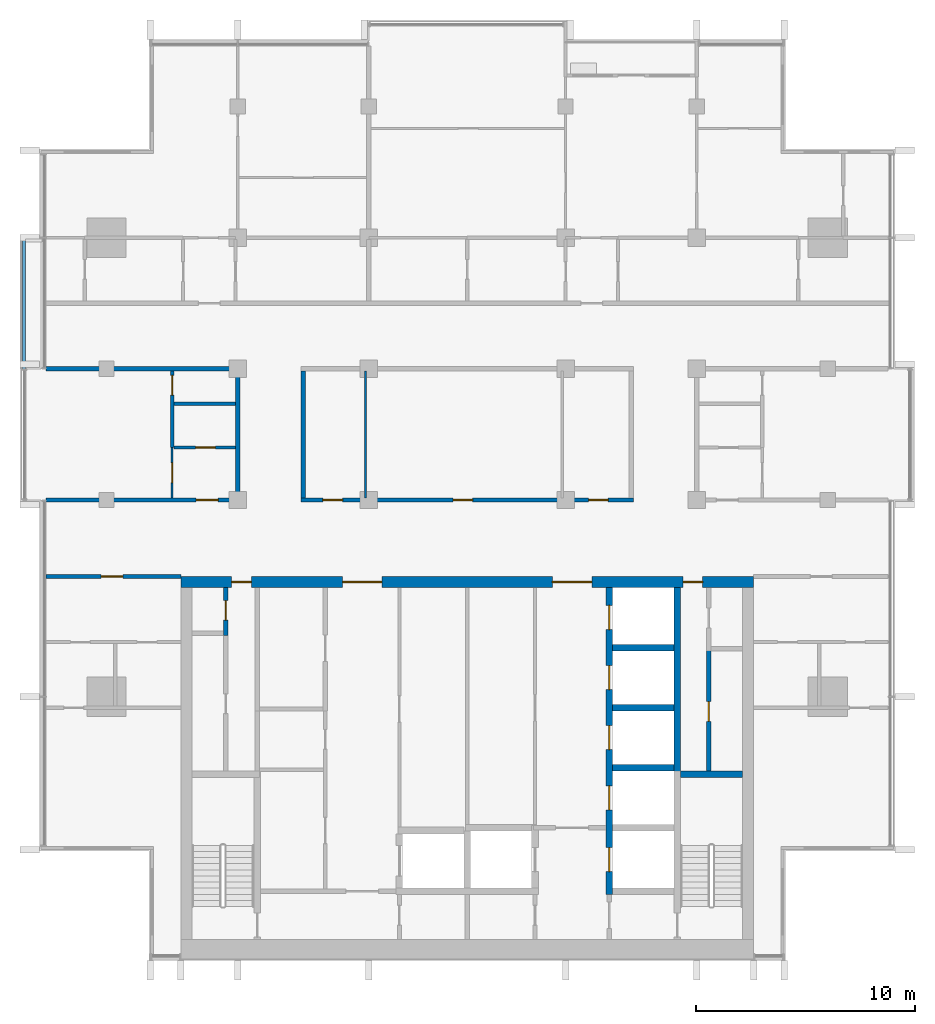
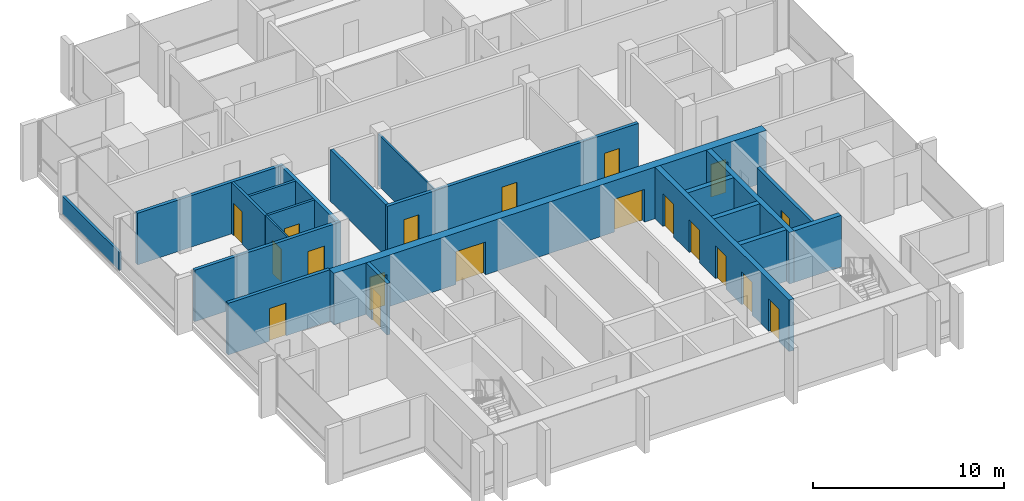
# One storey, part 8 of 16: 21 walls, 19 doors, 19 openings.
"""IFC4 building model written with IfcOpenShell, lengths in metres."""

import ifcopenshell
import ifcopenshell.guid

model = None  # the IFC model being written
_history = None  # IfcOwnerHistory: only IFC2X3 demands one
_inside = {}  # id of a spatial element -> (the spatial element, [elements in it])
_under = {}  # id of a project, library or spatial element -> (it, [spatial elements below it])
_declared = {}  # id of a project -> (the project, [libraries it declares])
_typed = {}  # id of a type object -> (the type object, [elements of that type])
_made_of = {}  # id of a material, layer set ... -> (it, [elements and type objects made of it])


def new_model(schema):
    """Start an empty IFC model of exactly this schema.

    Asked for "IFC4X3", IfcOpenShell would pick the latest addendum, in which some entities
    have other attributes; the version numbers below select the first issue.
    IFC2X3 requires an IfcOwnerHistory on every rooted entity: one is made here for all.
    """
    global model, _history
    if schema == "IFC4X3":
        model = ifcopenshell.file(schema_version=(4, 3, 0, 0))
    else:
        model = ifcopenshell.file(schema=schema)
    _inside.clear()
    _under.clear()
    _declared.clear()
    _typed.clear()
    _made_of.clear()
    _history = None
    if model.schema == "IFC2X3":
        org = make("IfcOrganization", Name="unknown")
        user = make(
            "IfcPersonAndOrganization",
            ThePerson=make("IfcPerson", FamilyName="unknown"),
            TheOrganization=org,
        )
        app = make(
            "IfcApplication",
            ApplicationDeveloper=org,
            Version="unknown",
            ApplicationFullName="unknown",
            ApplicationIdentifier="unknown",
        )
        _history = make(
            "IfcOwnerHistory",
            OwningUser=user,
            OwningApplication=app,
            ChangeAction="ADDED",
            CreationDate=0,
        )
    return model


def make(cls, **values):
    """One entity of the class cls with the attributes given. An attribute that is None is left unset."""
    return model.create_entity(
        cls, **{name: value for name, value in values.items() if value is not None}
    )


def rooted(cls, **values):
    """An entity with a GlobalId (a new one), such as an element, a storey or a relation."""
    return make(cls, GlobalId=ifcopenshell.guid.new(), OwnerHistory=_history, **values)


def si_unit(unit_type, name, prefix=None):
    """IfcSIUnit, for example si_unit("LENGTHUNIT", "METRE", prefix="MILLI")."""
    return make("IfcSIUnit", UnitType=unit_type, Prefix=prefix, Name=name)


def assignment(units):
    """IfcUnitAssignment: the units of a project."""
    return None if units is None else make("IfcUnitAssignment", Units=units)


def point(xyz):
    """IfcCartesianPoint."""
    return None if xyz is None else make("IfcCartesianPoint", Coordinates=xyz)


def direction(xyz):
    """IfcDirection."""
    return None if xyz is None else make("IfcDirection", DirectionRatios=xyz)


def frame(location, z_axis=None, x_axis=None):
    """IfcAxis2Placement3D, a coordinate frame: its origin and axes. An axis left out is left unset."""
    return make(
        "IfcAxis2Placement3D",
        Location=point(location),
        Axis=direction(z_axis),
        RefDirection=direction(x_axis),
    )


def frame_2d(location, x_axis=None):
    """IfcAxis2Placement2D, a coordinate frame in the plane: its origin and x axis."""
    return make(
        "IfcAxis2Placement2D", Location=point(location), RefDirection=direction(x_axis)
    )


def origin():
    """The frame at (0, 0, 0) with its axes left unset."""
    return frame((0.0, 0.0, 0.0))


def place(relative_to, where):
    """IfcLocalPlacement: puts the frame where relative to a parent placement (None: the world)."""
    return make(
        "IfcLocalPlacement", PlacementRelTo=relative_to, RelativePlacement=where
    )


def context(
    kind, dimensions, precision=None, world=None, true_north=None, identifier=None
):
    """IfcGeometricRepresentationContext, for example the 3D "Model" context."""
    return make(
        "IfcGeometricRepresentationContext",
        ContextIdentifier=identifier,
        ContextType=kind,
        CoordinateSpaceDimension=dimensions,
        Precision=precision,
        WorldCoordinateSystem=world,
        TrueNorth=true_north,
    )


def subcontext(parent, identifier, kind, view, scale=None):
    """IfcGeometricRepresentationSubContext, for example "Body" below "Model"."""
    return make(
        "IfcGeometricRepresentationSubContext",
        ContextIdentifier=identifier,
        ContextType=kind,
        ParentContext=parent,
        TargetScale=scale,
        TargetView=view,
    )


def project(units=None, contexts=None):
    """IfcProject with its units and contexts."""
    return rooted(
        "IfcProject",
        Name="project",
        RepresentationContexts=contexts,
        UnitsInContext=assignment(units),
    )


def spatial(cls, under=None, at=None, **own):
    """A site, building, storey or space (cls), placed at a placement, below another one or the project."""
    s = rooted(cls, ObjectPlacement=at, **own)
    if under is not None:
        _under.setdefault(under.id(), (under, []))[1].append(s)
    return s


def profile(cls, at=None, kind="AREA", **sizes):
    """A parametric profile (cls). Its sizes go by their IFC names, for example OverallWidth=200.0."""
    return make(cls, ProfileType=kind, Position=at, **sizes)


def rectangle(**sizes):
    """IfcRectangleProfileDef."""
    return profile("IfcRectangleProfileDef", **sizes)


def extrude(swept, where, along, depth):
    """IfcExtrudedAreaSolid: the profile swept, set in the frame where, extruded along a direction by depth."""
    return make(
        "IfcExtrudedAreaSolid",
        SweptArea=swept,
        Position=where,
        ExtrudedDirection=direction(along),
        Depth=depth,
    )


def shape(context_of_items, identifier, shape_type, items):
    """IfcShapeRepresentation: the items that make up one representation, for example the "Body"."""
    return make(
        "IfcShapeRepresentation",
        ContextOfItems=context_of_items,
        RepresentationIdentifier=identifier,
        RepresentationType=shape_type,
        Items=items,
    )


def material(Name=None, Category=None):
    """IfcMaterial."""
    return make("IfcMaterial", Name=Name, Category=Category)


def layer(
    of_material, thickness, ventilated=None, Name=None, Category=None, Priority=None
):
    """IfcMaterialLayer: one layer of a wall or slab, of a material (None: an air gap)."""
    return make(
        "IfcMaterialLayer",
        Material=of_material,
        LayerThickness=thickness,
        IsVentilated=ventilated,
        Name=Name,
        Category=Category,
        Priority=Priority,
    )


def layer_set(layers, Name=None):
    """IfcMaterialLayerSet."""
    return make("IfcMaterialLayerSet", MaterialLayers=layers, LayerSetName=Name)


def made_of(thing, what):
    """Note that an element or type object is made of a material, layer set ...; save() writes the relation."""
    if what is not None:
        _made_of.setdefault(what.id(), (what, []))[1].append(thing)
    return thing


def type_object(cls, material=None, **own):
    """A type object (cls), such as IfcWallType, which elements share."""
    return made_of(rooted(cls, **own), material)


def element(
    cls,
    number,
    at=None,
    inside=None,
    cuts=None,
    type_object=None,
    material=None,
    context=None,
    identifier="Body",
    shape_type=None,
    held_by="IfcProductDefinitionShape",
    body=None,
    shapes=None,
    **own,
):
    """One element of the class cls, such as IfcWall. Its Tag is "e" and its number.

    at: its placement. inside: the storey or other place that contains it. cuts: it is an
    opening in that element (IfcRelVoidsElement). A single representation is given by context,
    identifier, shape_type and body (its items); several are given by shapes. held_by: the class
    of the entity that holds the representations. save() writes the other relations.
    """
    e = rooted(cls, Tag="e%d" % number, ObjectPlacement=at, **own)
    if body is not None:
        shapes = [shape(context, identifier, shape_type, body)]
    if shapes is not None:
        e.Representation = make(held_by, Representations=shapes)
    if inside is not None:
        _inside.setdefault(inside.id(), (inside, []))[1].append(e)
    if cuts is not None:
        rooted(
            "IfcRelVoidsElement", RelatingBuildingElement=cuts, RelatedOpeningElement=e
        )
    if type_object is not None:
        _typed.setdefault(type_object.id(), (type_object, []))[1].append(e)
    return made_of(e, material)


def fill(opening, filler):
    """IfcRelFillsElement: the door or window that sits in an opening."""
    return rooted(
        "IfcRelFillsElement",
        RelatingOpeningElement=opening,
        RelatedBuildingElement=filler,
    )


def aggregate(whole, parts):
    """IfcRelAggregates: a whole, such as a stair, and the parts it consists of."""
    return rooted("IfcRelAggregates", RelatingObject=whole, RelatedObjects=parts)


def save(model, path):
    """Write the relations noted so far, then the file.

    IfcRelAggregates (storeys below a building ...), IfcRelContainedInSpatialStructure (elements
    in a storey), IfcRelDefinesByType, IfcRelAssociatesMaterial and IfcRelDeclares: one each for
    every whole, place, type object, material and project.
    """
    for whole, parts in _under.values():
        aggregate(whole, parts)
    for where, things in _inside.values():
        rooted(
            "IfcRelContainedInSpatialStructure",
            RelatedElements=things,
            RelatingStructure=where,
        )
    for kind, things in _typed.values():
        rooted("IfcRelDefinesByType", RelatedObjects=things, RelatingType=kind)
    for what, things in _made_of.values():
        rooted("IfcRelAssociatesMaterial", RelatedObjects=things, RelatingMaterial=what)
    for by, libraries in _declared.values():
        rooted("IfcRelDeclares", RelatingContext=by, RelatedDefinitions=libraries)
    model.write(path)


model = new_model("IFC4")

# Units and contexts
model_context = context("Model", 3, precision=1e-05, world=origin(), true_north=direction((0.0, 1.0)))
body_context = subcontext(model_context, "Body", "Model", "MODEL_VIEW")
ifc_project = project(units=[si_unit("LENGTHUNIT", "METRE"), si_unit("AREAUNIT", "SQUARE_METRE"), si_unit("VOLUMEUNIT", "CUBIC_METRE"), si_unit("PLANEANGLEUNIT", "RADIAN"), si_unit("MASSUNIT", "GRAM", prefix="KILO")], contexts=[model_context])

# Site, building, storey
site_placement = place(None, origin())
site = spatial("IfcSite", under=ifc_project, at=site_placement, CompositionType="ELEMENT")
building_placement = place(site_placement, origin())
building = spatial("IfcBuilding", under=site, at=building_placement, Name="Finial Court Residences", CompositionType="ELEMENT")
storey_placement = place(building_placement, frame((0.0, 0.0, 284.300048828125)))
storey = spatial("IfcBuildingStorey", under=building, at=storey_placement, Name="L72", CompositionType="ELEMENT", Elevation=284.300048828125)

# Wall, openings, doors
ifc_material_1 = material(Name="Concrete C50/60", Category="concrete")
ifc_layer_1 = layer(ifc_material_1, 0.5)
ifc_layer_set_1 = layer_set([ifc_layer_1], Name="Core outer wall 500 Concrete C50/60")
wall_type_1 = type_object("IfcWallType", Name="Core outer wall 500 Concrete C50/60", PredefinedType="SHEAR", material=ifc_layer_set_1)
wall_1_placement = place(storey_placement, frame((-13.10009765625, -8.25, 0.0), z_axis=(0.0, 0.0, 1.0), x_axis=(1.0, 0.0, 0.0)))
wall_1 = element("IfcWall", 1, at=wall_1_placement, inside=storey, type_object=wall_type_1, Name="Core outer wall L72-02", PredefinedType="SHEAR", context=body_context, shape_type="SweptSolid", body=[
    extrude(rectangle(XDim=26.2001953125, YDim=0.5, at=frame_2d((13.10009765625, 0.0))), origin(), (0.0, 0.0, 1.0), 3.300048828125),
])
opening_1_placement = place(wall_1_placement, frame((7.39990234375, 0.0, 0.0)))
opening_1 = element("IfcOpeningElement", 2, at=opening_1_placement, cuts=wall_1, Name="Opening L72-C04", PredefinedType="OPENING", context=body_context, shape_type="SweptSolid", body=[
    extrude(rectangle(XDim=1.800048828125, YDim=2.10009765625, at=frame_2d((0.89990234375, 1.050048828125))), frame((0.0, 0.260009765625, 0.0), z_axis=(0.0, -1.0, 0.0), x_axis=(1.0, 0.0, 0.0)), (0.0, 0.0, 1.0), 0.52001953125),
])
opening_2_placement = place(wall_1_placement, frame((17.0, 0.0, 0.0)))
opening_2 = element("IfcOpeningElement", 3, at=opening_2_placement, cuts=wall_1, Name="Opening L72-C05", PredefinedType="OPENING", context=body_context, shape_type="SweptSolid", body=[
    extrude(rectangle(XDim=1.800048828125, YDim=2.10009765625, at=frame_2d((0.89990234375, 1.050048828125))), frame((0.0, 0.260009765625, 0.0), z_axis=(0.0, -1.0, 0.0), x_axis=(1.0, 0.0, 0.0)), (0.0, 0.0, 1.0), 0.52001953125),
])
opening_3_placement = place(wall_1_placement, frame((2.324951171875, 0.0, 0.0)))
opening_3 = element("IfcOpeningElement", 4, at=opening_3_placement, cuts=wall_1, Name="Opening L72-C10", PredefinedType="OPENING", context=body_context, shape_type="SweptSolid", body=[
    extrude(rectangle(XDim=0.89990234375, YDim=2.10009765625, at=frame_2d((0.449951171875, 1.050048828125))), frame((0.0, 0.260009765625, 0.0), z_axis=(0.0, -1.0, 0.0), x_axis=(1.0, 0.0, 0.0)), (0.0, 0.0, 1.0), 0.52001953125),
])
opening_4_placement = place(wall_1_placement, frame((22.97509765625, 0.0, 0.0)))
opening_4 = element("IfcOpeningElement", 5, at=opening_4_placement, cuts=wall_1, Name="Opening L72-C11", PredefinedType="OPENING", context=body_context, shape_type="SweptSolid", body=[
    extrude(rectangle(XDim=0.89990234375, YDim=2.10009765625, at=frame_2d((0.449951171875, 1.050048828125))), frame((0.0, 0.260009765625, 0.0), z_axis=(0.0, -1.0, 0.0), x_axis=(1.0, 0.0, 0.0)), (0.0, 0.0, 1.0), 0.52001953125),
])
ifc_material_2 = material(Name="Steel fire door", Category="steel")
door_type_1 = type_object("IfcDoorType", Name="Lift lobby door 1800 x 2100 EI 60", OperationType="DOUBLE_DOOR_SINGLE_SWING", PredefinedType="DOOR", material=ifc_material_2)
door_1_placement = place(opening_1_placement, origin())
door_1 = element("IfcDoor", 6, at=door_1_placement, inside=storey, type_object=door_type_1, Name="Lift lobby door L72-C04", OperationType="DOUBLE_DOOR_SINGLE_SWING", OverallHeight=2.10009765625, OverallWidth=1.800048828125, PredefinedType="DOOR", context=body_context, shape_type="SweptSolid", body=[
    extrude(rectangle(XDim=1.800048828125, YDim=2.10009765625, at=frame_2d((0.89990234375, 1.050048828125))), frame((0.0, 0.02490234375, 0.0), z_axis=(0.0, -1.0, 0.0), x_axis=(1.0, 0.0, 0.0)), (0.0, 0.0, 1.0), 0.050048828125),
])
fill(opening_1, door_1)
door_2_placement = place(opening_2_placement, origin())
door_2 = element("IfcDoor", 7, at=door_2_placement, inside=storey, type_object=door_type_1, Name="Lift lobby door L72-C05", OperationType="DOUBLE_DOOR_SINGLE_SWING", OverallHeight=2.10009765625, OverallWidth=1.800048828125, PredefinedType="DOOR", context=body_context, shape_type="SweptSolid", body=[
    extrude(rectangle(XDim=1.800048828125, YDim=2.10009765625, at=frame_2d((0.89990234375, 1.050048828125))), frame((0.0, 0.02490234375, 0.0), z_axis=(0.0, -1.0, 0.0), x_axis=(1.0, 0.0, 0.0)), (0.0, 0.0, 1.0), 0.050048828125),
])
fill(opening_2, door_2)
door_type_2 = type_object("IfcDoorType", Name="Riser room door 900 x 2100 EI 90", OperationType="NOTDEFINED", PredefinedType="DOOR", material=ifc_material_2)
door_3_placement = place(opening_3_placement, origin())
door_3 = element("IfcDoor", 8, at=door_3_placement, inside=storey, type_object=door_type_2, Name="Riser room door L72-C10", OperationType="SINGLE_SWING_RIGHT", OverallHeight=2.10009765625, OverallWidth=0.89990234375, PredefinedType="DOOR", context=body_context, shape_type="SweptSolid", body=[
    extrude(rectangle(XDim=0.89990234375, YDim=2.10009765625, at=frame_2d((0.449951171875, 1.050048828125))), frame((0.0, 0.02490234375, 0.0), z_axis=(0.0, -1.0, 0.0), x_axis=(1.0, 0.0, 0.0)), (0.0, 0.0, 1.0), 0.050048828125),
])
fill(opening_3, door_3)
door_4_placement = place(opening_4_placement, origin())
door_4 = element("IfcDoor", 9, at=door_4_placement, inside=storey, type_object=door_type_2, Name="Riser room door L72-C11", OperationType="SINGLE_SWING_LEFT", OverallHeight=2.10009765625, OverallWidth=0.89990234375, PredefinedType="DOOR", context=body_context, shape_type="SweptSolid", body=[
    extrude(rectangle(XDim=0.89990234375, YDim=2.10009765625, at=frame_2d((0.449951171875, 1.050048828125))), frame((0.0, 0.02490234375, 0.0), z_axis=(0.0, -1.0, 0.0), x_axis=(1.0, 0.0, 0.0)), (0.0, 0.0, 1.0), 0.050048828125),
])
fill(opening_4, door_4)

# Wall, opening, door
ifc_material_3 = material(Name="Gypsum board")
ifc_layer_2 = layer(ifc_material_3, 0.02490234375)
ifc_material_4 = material(Name="Acoustic mineral wool in double frame")
ifc_layer_3 = layer(ifc_material_4, 0.14990234375)
ifc_layer_4 = layer(ifc_material_3, 0.02490234375)
ifc_layer_set_2 = layer_set([ifc_layer_2, ifc_layer_3, ifc_layer_4], Name="Corridor wall 200, 1 hour")
wall_type_2 = type_object("IfcWallType", Name="Corridor wall 200, 1 hour", PredefinedType="PARTITIONING", material=ifc_layer_set_2)
wall_2_placement = place(storey_placement, frame((-19.262451171875, -8.0, 0.0), z_axis=(0.0, 0.0, 1.0), x_axis=(1.0, 0.0, 0.0)))
wall_2 = element("IfcWall", 10, at=wall_2_placement, inside=storey, type_object=wall_type_2, Name="Partition L72-004", PredefinedType="PARTITIONING", context=body_context, shape_type="SweptSolid", body=[
    extrude(rectangle(XDim=6.162353515625, YDim=0.199951171875, at=frame_2d((3.0810546875, 0.0))), origin(), (0.0, 0.0, 1.0), 3.300048828125),
])
opening_5_placement = place(wall_2_placement, frame((2.511962890625, 0.0, 0.0)))
opening_5 = element("IfcOpeningElement", 11, at=opening_5_placement, cuts=wall_2, Name="Opening L72-D007", PredefinedType="OPENING", context=body_context, shape_type="SweptSolid", body=[
    extrude(rectangle(XDim=1.0, YDim=2.10009765625, at=frame_2d((0.5, 1.050048828125))), frame((0.0, 0.10986328125, 0.0), z_axis=(0.0, -1.0, 0.0), x_axis=(1.0, 0.0, 0.0)), (0.0, 0.0, 1.0), 0.219970703125),
])
ifc_material_5 = material(Name="Timber door leaf in hollow metal frame", Category="wood")
door_type_3 = type_object("IfcDoorType", Name="Fire door set 1000 x 2100, 30 minutes", OperationType="SINGLE_SWING_LEFT", PredefinedType="DOOR", material=ifc_material_5)
door_5_placement = place(opening_5_placement, origin())
door_5 = element("IfcDoor", 12, at=door_5_placement, inside=storey, type_object=door_type_3, Name="Door L72-D007", OperationType="SINGLE_SWING_RIGHT", OverallHeight=2.10009765625, OverallWidth=1.0, PredefinedType="DOOR", context=body_context, shape_type="SweptSolid", body=[
    extrude(rectangle(XDim=1.0, YDim=2.10009765625, at=frame_2d((0.5, 1.050048828125))), frame((0.0, 0.02490234375, 0.0), z_axis=(0.0, -1.0, 0.0), x_axis=(1.0, 0.0, 0.0)), (0.0, 0.0, 1.0), 0.050048828125),
])
fill(opening_5, door_5)

wall_3_placement = place(storey_placement, frame((-19.262451171875, -4.5, 0.0), z_axis=(0.0, 0.0, 1.0), x_axis=(1.0, 0.0, 0.0)))
wall_3 = element("IfcWall", 13, at=wall_3_placement, inside=storey, type_object=wall_type_2, Name="Partition L72-006", PredefinedType="PARTITIONING", context=body_context, shape_type="SweptSolid", body=[
    extrude(rectangle(XDim=8.862548828125, YDim=0.199951171875, at=frame_2d((4.43115234375, 0.0))), origin(), (0.0, 0.0, 1.0), 3.300048828125),
])
opening_6_placement = place(wall_3_placement, frame((6.862060546875, 0.0, 0.0)))
opening_6 = element("IfcOpeningElement", 14, at=opening_6_placement, cuts=wall_3, Name="Opening L72-D009", PredefinedType="OPENING", context=body_context, shape_type="SweptSolid", body=[
    extrude(rectangle(XDim=1.0, YDim=2.10009765625, at=frame_2d((0.5, 1.050048828125))), frame((0.0, 0.10986328125, 0.0), z_axis=(0.0, -1.0, 0.0), x_axis=(1.0, 0.0, 0.0)), (0.0, 0.0, 1.0), 0.219970703125),
])
door_6_placement = place(opening_6_placement, origin())
door_6 = element("IfcDoor", 15, at=door_6_placement, inside=storey, type_object=door_type_3, Name="Door L72-D009", OperationType="SINGLE_SWING_LEFT", OverallHeight=2.10009765625, OverallWidth=1.0, PredefinedType="DOOR", context=body_context, shape_type="SweptSolid", body=[
    extrude(rectangle(XDim=1.0, YDim=2.10009765625, at=frame_2d((0.5, 1.050048828125))), frame((0.0, 0.02490234375, 0.0), z_axis=(0.0, -1.0, 0.0), x_axis=(1.0, 0.0, 0.0)), (0.0, 0.0, 1.0), 0.050048828125),
])
fill(opening_6, door_6)

# Wall, openings, doors
wall_4_placement = place(storey_placement, frame((-7.60009765625, -4.5, 0.0), z_axis=(0.0, 0.0, 1.0), x_axis=(1.0, 0.0, 0.0)))
wall_4 = element("IfcWall", 16, at=wall_4_placement, inside=storey, type_object=wall_type_2, Name="Partition L72-007", PredefinedType="PARTITIONING", context=body_context, shape_type="SweptSolid", body=[
    extrude(rectangle(XDim=15.2001953125, YDim=0.199951171875, at=frame_2d((7.60009765625, 0.0))), origin(), (0.0, 0.0, 1.0), 3.300048828125),
])
opening_7_placement = place(wall_4_placement, frame((1.0, 0.0, 0.0)))
opening_7 = element("IfcOpeningElement", 17, at=opening_7_placement, cuts=wall_4, Name="Opening L72-D010", PredefinedType="OPENING", context=body_context, shape_type="SweptSolid", body=[
    extrude(rectangle(XDim=0.89990234375, YDim=2.10009765625, at=frame_2d((0.449951171875, 1.050048828125))), frame((0.0, 0.10986328125, 0.0), z_axis=(0.0, -1.0, 0.0), x_axis=(1.0, 0.0, 0.0)), (0.0, 0.0, 1.0), 0.219970703125),
])
opening_8_placement = place(wall_4_placement, frame((6.949951171875, 0.0, 0.0)))
opening_8 = element("IfcOpeningElement", 18, at=opening_8_placement, cuts=wall_4, Name="Opening L72-D011", PredefinedType="OPENING", context=body_context, shape_type="SweptSolid", body=[
    extrude(rectangle(XDim=0.89990234375, YDim=2.10009765625, at=frame_2d((0.449951171875, 1.050048828125))), frame((0.0, 0.10986328125, 0.0), z_axis=(0.0, -1.0, 0.0), x_axis=(1.0, 0.0, 0.0)), (0.0, 0.0, 1.0), 0.219970703125),
])
opening_9_placement = place(wall_4_placement, frame((13.14990234375, 0.0, 0.0)))
opening_9 = element("IfcOpeningElement", 19, at=opening_9_placement, cuts=wall_4, Name="Opening L72-D012", PredefinedType="OPENING", context=body_context, shape_type="SweptSolid", body=[
    extrude(rectangle(XDim=0.89990234375, YDim=2.10009765625, at=frame_2d((0.449951171875, 1.050048828125))), frame((0.0, 0.10986328125, 0.0), z_axis=(0.0, -1.0, 0.0), x_axis=(1.0, 0.0, 0.0)), (0.0, 0.0, 1.0), 0.219970703125),
])
door_type_4 = type_object("IfcDoorType", Name="Fire door set 900 x 2100, 30 minutes", OperationType="SINGLE_SWING_LEFT", PredefinedType="DOOR", material=ifc_material_5)
door_7_placement = place(opening_7_placement, origin())
door_7 = element("IfcDoor", 20, at=door_7_placement, inside=storey, type_object=door_type_4, Name="Door L72-D010", OperationType="SINGLE_SWING_RIGHT", OverallHeight=2.10009765625, OverallWidth=0.89990234375, PredefinedType="DOOR", context=body_context, shape_type="SweptSolid", body=[
    extrude(rectangle(XDim=0.89990234375, YDim=2.10009765625, at=frame_2d((0.449951171875, 1.050048828125))), frame((0.0, 0.02490234375, 0.0), z_axis=(0.0, -1.0, 0.0), x_axis=(1.0, 0.0, 0.0)), (0.0, 0.0, 1.0), 0.050048828125),
])
fill(opening_7, door_7)
door_8_placement = place(opening_8_placement, origin())
door_8 = element("IfcDoor", 21, at=door_8_placement, inside=storey, type_object=door_type_4, Name="Door L72-D011", OperationType="SINGLE_SWING_RIGHT", OverallHeight=2.10009765625, OverallWidth=0.89990234375, PredefinedType="DOOR", context=body_context, shape_type="SweptSolid", body=[
    extrude(rectangle(XDim=0.89990234375, YDim=2.10009765625, at=frame_2d((0.449951171875, 1.050048828125))), frame((0.0, 0.02490234375, 0.0), z_axis=(0.0, -1.0, 0.0), x_axis=(1.0, 0.0, 0.0)), (0.0, 0.0, 1.0), 0.050048828125),
])
fill(opening_8, door_8)
door_9_placement = place(opening_9_placement, origin())
door_9 = element("IfcDoor", 22, at=door_9_placement, inside=storey, type_object=door_type_4, Name="Door L72-D012", OperationType="SINGLE_SWING_LEFT", OverallHeight=2.10009765625, OverallWidth=0.89990234375, PredefinedType="DOOR", context=body_context, shape_type="SweptSolid", body=[
    extrude(rectangle(XDim=0.89990234375, YDim=2.10009765625, at=frame_2d((0.449951171875, 1.050048828125))), frame((0.0, 0.02490234375, 0.0), z_axis=(0.0, -1.0, 0.0), x_axis=(1.0, 0.0, 0.0)), (0.0, 0.0, 1.0), 0.050048828125),
])
fill(opening_9, door_9)

# Walls
wall_5_placement = place(storey_placement, frame((-19.262451171875, 1.5, 0.0), z_axis=(0.0, 0.0, 1.0), x_axis=(1.0, 0.0, 0.0)))
element("IfcWall", 23, at=wall_5_placement, inside=storey, type_object=wall_type_2, Name="Partition L72-013", PredefinedType="PARTITIONING", context=body_context, shape_type="SweptSolid", body=[
    extrude(rectangle(XDim=8.862548828125, YDim=0.199951171875, at=frame_2d((4.43115234375, 0.0))), origin(), (0.0, 0.0, 1.0), 3.300048828125),
])
for number, where, z_axis, x_axis, name in (
    (24, (-10.5, -4.39990234375, 0.0), (0.0, 0.0, 1.0), (0.0, 1.0, 0.0), "Partition L72-036"),
    (25, (-7.5, -4.39990234375, 0.0), (0.0, 0.0, 1.0), (0.0, 1.0, 0.0), "Partition L72-038"),
):
    element("IfcWall", number, at=place(storey_placement, frame(where, z_axis=z_axis, x_axis=x_axis)), inside=storey, type_object=wall_type_2, Name=name, PredefinedType="PARTITIONING", context=body_context, shape_type="SweptSolid", body=[
        extrude(rectangle(XDim=5.7998046875, YDim=0.199951171875, at=frame_2d((2.89990234375, 0.0))), origin(), (0.0, 0.0, 1.0), 3.300048828125),
    ])

# Wall, opening, door
ifc_layer_5 = layer(ifc_material_3, 0.012451171875)
ifc_material_6 = material(Name="Mineral wool in light-gauge frame")
ifc_layer_6 = layer(ifc_material_6, 0.074951171875)
ifc_layer_7 = layer(ifc_material_3, 0.012451171875)
ifc_layer_set_3 = layer_set([ifc_layer_5, ifc_layer_6, ifc_layer_7], Name="Gypsum board partition 100")
wall_type_3 = type_object("IfcWallType", Name="Gypsum board partition 100", PredefinedType="PARTITIONING", material=ifc_layer_set_3)
wall_6_placement = place(storey_placement, frame((-13.5, -4.39990234375, 0.0), z_axis=(0.0, 0.0, 1.0), x_axis=(0.0, 1.0, 0.0)))
wall_6 = element("IfcWall", 26, at=wall_6_placement, inside=storey, type_object=wall_type_3, Name="Partition L72-032", PredefinedType="PARTITIONING", context=body_context, shape_type="SweptSolid", body=[
    extrude(rectangle(XDim=2.2998046875, YDim=0.10009765625, at=frame_2d((1.14990234375, 0.0))), origin(), (0.0, 0.0, 1.0), 3.300048828125),
])
opening_10_placement = place(wall_6_placement, frame((0.699951171875, 0.0, 0.0)))
opening_10 = element("IfcOpeningElement", 27, at=opening_10_placement, cuts=wall_6, Name="Opening L72-D024", PredefinedType="OPENING", context=body_context, shape_type="SweptSolid", body=[
    extrude(rectangle(XDim=0.89990234375, YDim=2.10009765625, at=frame_2d((0.449951171875, 1.050048828125))), frame((0.0, 0.06005859375, 0.0), z_axis=(0.0, -1.0, 0.0), x_axis=(1.0, 0.0, 0.0)), (0.0, 0.0, 1.0), 0.1201171875),
])
ifc_material_7 = material(Name="Timber door leaf in timber frame", Category="wood")
door_type_5 = type_object("IfcDoorType", Name="Door set 900 x 2100", OperationType="SINGLE_SWING_LEFT", PredefinedType="DOOR", material=ifc_material_7)
door_10_placement = place(opening_10_placement, origin())
door_10 = element("IfcDoor", 28, at=door_10_placement, inside=storey, type_object=door_type_5, Name="Door L72-D024", OperationType="SINGLE_SWING_LEFT", OverallHeight=2.10009765625, OverallWidth=0.89990234375, PredefinedType="DOOR", context=body_context, shape_type="SweptSolid", body=[
    extrude(rectangle(XDim=0.89990234375, YDim=2.10009765625, at=frame_2d((0.449951171875, 1.050048828125))), frame((0.0, 0.02490234375, 0.0), z_axis=(0.0, -1.0, 0.0), x_axis=(1.0, 0.0, 0.0)), (0.0, 0.0, 1.0), 0.050048828125),
])
fill(opening_10, door_10)

# Wall
wall_7_placement = place(storey_placement, frame((-4.64990234375, -4.39990234375, 0.0), z_axis=(0.0, 0.0, 1.0), x_axis=(0.0, 1.0, 0.0)))
element("IfcWall", 29, at=wall_7_placement, inside=storey, type_object=wall_type_3, Name="Partition L72-039", PredefinedType="PARTITIONING", context=body_context, shape_type="SweptSolid", body=[
    extrude(rectangle(XDim=5.7998046875, YDim=0.10009765625, at=frame_2d((2.89990234375, 0.0))), origin(), (0.0, 0.0, 1.0), 3.300048828125),
])

# Wall, opening, door
ifc_material_8 = material(Name="Moisture-resistant gypsum board")
ifc_layer_8 = layer(ifc_material_8, 0.012451171875)
ifc_layer_9 = layer(ifc_material_6, 0.125)
ifc_layer_10 = layer(ifc_material_8, 0.012451171875)
ifc_layer_set_4 = layer_set([ifc_layer_8, ifc_layer_9, ifc_layer_10], Name="Gypsum board wet-area partition 150")
wall_type_4 = type_object("IfcWallType", Name="Gypsum board wet-area partition 150", PredefinedType="PARTITIONING", material=ifc_layer_set_4)
wall_8_placement = place(storey_placement, frame((-13.425048828125, -2.10009765625, 0.0), z_axis=(0.0, 0.0, 1.0), x_axis=(1.0, 0.0, 0.0)))
wall_8 = element("IfcWall", 30, at=wall_8_placement, inside=storey, type_object=wall_type_4, Name="Partition L72-009", PredefinedType="PARTITIONING", context=body_context, shape_type="SweptSolid", body=[
    extrude(rectangle(XDim=2.824951171875, YDim=0.14990234375, at=frame_2d((1.41259765625, 0.0))), origin(), (0.0, 0.0, 1.0), 3.300048828125),
])
opening_11_placement = place(wall_8_placement, frame((1.0, 0.0, 0.0)))
opening_11 = element("IfcOpeningElement", 31, at=opening_11_placement, cuts=wall_8, Name="Opening L72-D014", PredefinedType="OPENING", context=body_context, shape_type="SweptSolid", body=[
    extrude(rectangle(XDim=0.89990234375, YDim=2.10009765625, at=frame_2d((0.449951171875, 1.050048828125))), frame((0.0, 0.0849609375, 0.0), z_axis=(0.0, -1.0, 0.0), x_axis=(1.0, 0.0, 0.0)), (0.0, 0.0, 1.0), 0.169921875),
])
door_11_placement = place(opening_11_placement, origin())
door_11 = element("IfcDoor", 32, at=door_11_placement, inside=storey, type_object=door_type_5, Name="Door L72-D014", OperationType="SINGLE_SWING_LEFT", OverallHeight=2.10009765625, OverallWidth=0.89990234375, PredefinedType="DOOR", context=body_context, shape_type="SweptSolid", body=[
    extrude(rectangle(XDim=0.89990234375, YDim=2.10009765625, at=frame_2d((0.449951171875, 1.050048828125))), frame((0.0, 0.02490234375, 0.0), z_axis=(0.0, -1.0, 0.0), x_axis=(1.0, 0.0, 0.0)), (0.0, 0.0, 1.0), 0.050048828125),
])
fill(opening_11, door_11)

# Wall
wall_9_placement = place(storey_placement, frame((-13.425048828125, -0.10009765625, 0.0), z_axis=(0.0, 0.0, 1.0), x_axis=(1.0, 0.0, 0.0)))
element("IfcWall", 33, at=wall_9_placement, inside=storey, type_object=wall_type_4, Name="Partition L72-011", PredefinedType="PARTITIONING", context=body_context, shape_type="SweptSolid", body=[
    extrude(rectangle(XDim=2.824951171875, YDim=0.14990234375, at=frame_2d((1.41259765625, 0.0))), origin(), (0.0, 0.0, 1.0), 3.300048828125),
])

# Wall, opening, door
wall_10_placement = place(storey_placement, frame((-13.5, -2.10009765625, 0.0), z_axis=(0.0, 0.0, 1.0), x_axis=(0.0, 1.0, 0.0)))
wall_10 = element("IfcWall", 34, at=wall_10_placement, inside=storey, type_object=wall_type_4, Name="Partition L72-033", PredefinedType="PARTITIONING", context=body_context, shape_type="SweptSolid", body=[
    extrude(rectangle(XDim=3.5, YDim=0.14990234375, at=frame_2d((1.75, 0.0))), origin(), (0.0, 0.0, 1.0), 3.300048828125),
])
opening_12_placement = place(wall_10_placement, frame((2.39990234375, 0.0, 0.0)))
opening_12 = element("IfcOpeningElement", 35, at=opening_12_placement, cuts=wall_10, Name="Opening L72-D025", PredefinedType="OPENING", context=body_context, shape_type="SweptSolid", body=[
    extrude(rectangle(XDim=0.89990234375, YDim=2.10009765625, at=frame_2d((0.449951171875, 1.050048828125))), frame((0.0, 0.0849609375, 0.0), z_axis=(0.0, -1.0, 0.0), x_axis=(1.0, 0.0, 0.0)), (0.0, 0.0, 1.0), 0.169921875),
])
door_12_placement = place(opening_12_placement, origin())
door_12 = element("IfcDoor", 36, at=door_12_placement, inside=storey, type_object=door_type_5, Name="Door L72-D025", OperationType="SINGLE_SWING_RIGHT", OverallHeight=2.10009765625, OverallWidth=0.89990234375, PredefinedType="DOOR", context=body_context, shape_type="SweptSolid", body=[
    extrude(rectangle(XDim=0.89990234375, YDim=2.10009765625, at=frame_2d((0.449951171875, 1.050048828125))), frame((0.0, 0.02490234375, 0.0), z_axis=(0.0, -1.0, 0.0), x_axis=(1.0, 0.0, 0.0)), (0.0, 0.0, 1.0), 0.050048828125),
])
fill(opening_12, door_12)

# Walls
ifc_material_9 = material(Name="Concrete C35/45", Category="concrete")
ifc_layer_11 = layer(ifc_material_9, 0.14990234375)
ifc_layer_set_5 = layer_set([ifc_layer_11], Name="Ledge parapet, Concrete C35/45 150")
wall_type_5 = type_object("IfcWallType", Name="Ledge parapet, Concrete C35/45 150", PredefinedType="PARAPET", material=ifc_layer_set_5)
wall_11_placement = place(storey_placement, frame((-20.27490234375, 1.447509765625, 0.0), z_axis=(0.0, 0.0, 1.0), x_axis=(0.0, 1.0, 0.0)))
element("IfcWall", 37, at=wall_11_placement, inside=storey, type_object=wall_type_5, Name="E-L72-LED1-P1", PredefinedType="PARAPET", context=body_context, shape_type="SweptSolid", body=[
    extrude(rectangle(XDim=6.00244140625, YDim=0.14990234375, at=frame_2d((3.001220703125, 0.0))), origin(), (0.0, 0.0, 1.0), 1.14990234375),
])
ifc_layer_12 = layer(ifc_material_1, 0.300048828125)
ifc_layer_set_6 = layer_set([ifc_layer_12], Name="Lift shaft and stair wall 300 Concrete C50/60")
wall_type_6 = type_object("IfcWallType", Name="Lift shaft and stair wall 300 Concrete C50/60", PredefinedType="SHEAR", material=ifc_layer_set_6)
wall_12_placement = place(storey_placement, frame((9.75, -17.050048828125, 0.0), z_axis=(0.0, 0.0, 1.0), x_axis=(1.0, 0.0, 0.0)))
element("IfcWall", 38, at=wall_12_placement, inside=storey, type_object=wall_type_6, Name="Core wall L72-09", PredefinedType="SHEAR", context=body_context, shape_type="SweptSolid", body=[
    extrude(rectangle(XDim=2.85009765625, YDim=0.300048828125, at=frame_2d((1.425048828125, 0.0))), origin(), (0.0, 0.0, 1.0), 3.300048828125),
])
for number, where, z_axis, x_axis, name in (
    (39, (6.64990234375, -16.75, 0.0), (0.0, 0.0, 1.0), (1.0, 0.0, 0.0), "Core wall L72-11"),
    (40, (6.64990234375, -14.0, 0.0), (0.0, 0.0, 1.0), (1.0, 0.0, 0.0), "Core wall L72-13"),
    (41, (6.64990234375, -11.25, 0.0), (0.0, 0.0, 1.0), (1.0, 0.0, 0.0), "Core wall L72-15"),
):
    element("IfcWall", number, at=place(storey_placement, frame(where, z_axis=z_axis, x_axis=x_axis)), inside=storey, type_object=wall_type_6, Name=name, PredefinedType="SHEAR", context=body_context, shape_type="SweptSolid", body=[
        extrude(rectangle(XDim=2.800048828125, YDim=0.300048828125, at=frame_2d((1.39990234375, 0.0))), origin(), (0.0, 0.0, 1.0), 3.300048828125),
    ])

# Wall, openings, doors
wall_13_placement = place(storey_placement, frame((6.5, -22.550048828125, 0.0), z_axis=(0.0, 0.0, 1.0), x_axis=(0.0, 1.0, 0.0)))
wall_13 = element("IfcWall", 42, at=wall_13_placement, inside=storey, type_object=wall_type_6, Name="Core wall L72-34", PredefinedType="SHEAR", context=body_context, shape_type="SweptSolid", body=[
    extrude(rectangle(XDim=14.050048828125, YDim=0.300048828125, at=frame_2d((7.02490234375, 0.0))), origin(), (0.0, 0.0, 1.0), 3.300048828125),
])
opening_13_placement = place(wall_13_placement, frame((1.050048828125, 0.0, 0.0)))
opening_13 = element("IfcOpeningElement", 43, at=opening_13_placement, cuts=wall_13, Name="Opening L72-LD02", PredefinedType="OPENING", context=body_context, shape_type="SweptSolid", body=[
    extrude(rectangle(XDim=1.10009765625, YDim=2.10009765625, at=frame_2d((0.550048828125, 1.050048828125))), frame((0.0, 0.159912109375, 0.0), z_axis=(0.0, -1.0, 0.0), x_axis=(1.0, 0.0, 0.0)), (0.0, 0.0, 1.0), 0.320068359375),
])
opening_14_placement = place(wall_13_placement, frame((3.875, 0.0, 0.0)))
opening_14 = element("IfcOpeningElement", 44, at=opening_14_placement, cuts=wall_13, Name="Opening L72-LD03", PredefinedType="OPENING", context=body_context, shape_type="SweptSolid", body=[
    extrude(rectangle(XDim=1.10009765625, YDim=2.10009765625, at=frame_2d((0.550048828125, 1.050048828125))), frame((0.0, 0.159912109375, 0.0), z_axis=(0.0, -1.0, 0.0), x_axis=(1.0, 0.0, 0.0)), (0.0, 0.0, 1.0), 0.320068359375),
])
opening_15_placement = place(wall_13_placement, frame((6.625, 0.0, 0.0)))
opening_15 = element("IfcOpeningElement", 45, at=opening_15_placement, cuts=wall_13, Name="Opening L72-LD04", PredefinedType="OPENING", context=body_context, shape_type="SweptSolid", body=[
    extrude(rectangle(XDim=1.10009765625, YDim=2.10009765625, at=frame_2d((0.550048828125, 1.050048828125))), frame((0.0, 0.159912109375, 0.0), z_axis=(0.0, -1.0, 0.0), x_axis=(1.0, 0.0, 0.0)), (0.0, 0.0, 1.0), 0.320068359375),
])
opening_16_placement = place(wall_13_placement, frame((9.375, 0.0, 0.0)))
opening_16 = element("IfcOpeningElement", 46, at=opening_16_placement, cuts=wall_13, Name="Opening L72-LD05", PredefinedType="OPENING", context=body_context, shape_type="SweptSolid", body=[
    extrude(rectangle(XDim=1.10009765625, YDim=2.10009765625, at=frame_2d((0.550048828125, 1.050048828125))), frame((0.0, 0.159912109375, 0.0), z_axis=(0.0, -1.0, 0.0), x_axis=(1.0, 0.0, 0.0)), (0.0, 0.0, 1.0), 0.320068359375),
])
opening_17_placement = place(wall_13_placement, frame((12.125, 0.0, 0.0)))
opening_17 = element("IfcOpeningElement", 47, at=opening_17_placement, cuts=wall_13, Name="Opening L72-LD06", PredefinedType="OPENING", context=body_context, shape_type="SweptSolid", body=[
    extrude(rectangle(XDim=1.10009765625, YDim=2.10009765625, at=frame_2d((0.550048828125, 1.050048828125))), frame((0.0, 0.159912109375, 0.0), z_axis=(0.0, -1.0, 0.0), x_axis=(1.0, 0.0, 0.0)), (0.0, 0.0, 1.0), 0.320068359375),
])
ifc_material_10 = material(Name="Stainless steel lift door", Category="steel")
door_type_6 = type_object("IfcDoorType", Name="Lift landing door 1100 x 2100 EI 90", OperationType="DOUBLE_DOOR_SLIDING", PredefinedType="DOOR", material=ifc_material_10)
door_13_placement = place(opening_13_placement, origin())
door_13 = element("IfcDoor", 48, at=door_13_placement, inside=storey, type_object=door_type_6, Name="Lift landing door FF2 L72", OperationType="DOUBLE_DOOR_SLIDING", OverallHeight=2.10009765625, OverallWidth=1.10009765625, PredefinedType="DOOR", context=body_context, shape_type="SweptSolid", body=[
    extrude(rectangle(XDim=1.10009765625, YDim=2.10009765625, at=frame_2d((0.550048828125, 1.050048828125))), frame((0.0, 0.02490234375, 0.0), z_axis=(0.0, -1.0, 0.0), x_axis=(1.0, 0.0, 0.0)), (0.0, 0.0, 1.0), 0.050048828125),
])
fill(opening_13, door_13)
door_14_placement = place(opening_14_placement, origin())
door_14 = element("IfcDoor", 49, at=door_14_placement, inside=storey, type_object=door_type_6, Name="Lift landing door HR5 L72", OperationType="DOUBLE_DOOR_SLIDING", OverallHeight=2.10009765625, OverallWidth=1.10009765625, PredefinedType="DOOR", context=body_context, shape_type="SweptSolid", body=[
    extrude(rectangle(XDim=1.10009765625, YDim=2.10009765625, at=frame_2d((0.550048828125, 1.050048828125))), frame((0.0, 0.02490234375, 0.0), z_axis=(0.0, -1.0, 0.0), x_axis=(1.0, 0.0, 0.0)), (0.0, 0.0, 1.0), 0.050048828125),
])
fill(opening_14, door_14)
door_15_placement = place(opening_15_placement, origin())
door_15 = element("IfcDoor", 50, at=door_15_placement, inside=storey, type_object=door_type_6, Name="Lift landing door HR6 L72", OperationType="DOUBLE_DOOR_SLIDING", OverallHeight=2.10009765625, OverallWidth=1.10009765625, PredefinedType="DOOR", context=body_context, shape_type="SweptSolid", body=[
    extrude(rectangle(XDim=1.10009765625, YDim=2.10009765625, at=frame_2d((0.550048828125, 1.050048828125))), frame((0.0, 0.02490234375, 0.0), z_axis=(0.0, -1.0, 0.0), x_axis=(1.0, 0.0, 0.0)), (0.0, 0.0, 1.0), 0.050048828125),
])
fill(opening_15, door_15)
door_16_placement = place(opening_16_placement, origin())
door_16 = element("IfcDoor", 51, at=door_16_placement, inside=storey, type_object=door_type_6, Name="Lift landing door HR7 L72", OperationType="DOUBLE_DOOR_SLIDING", OverallHeight=2.10009765625, OverallWidth=1.10009765625, PredefinedType="DOOR", context=body_context, shape_type="SweptSolid", body=[
    extrude(rectangle(XDim=1.10009765625, YDim=2.10009765625, at=frame_2d((0.550048828125, 1.050048828125))), frame((0.0, 0.02490234375, 0.0), z_axis=(0.0, -1.0, 0.0), x_axis=(1.0, 0.0, 0.0)), (0.0, 0.0, 1.0), 0.050048828125),
])
fill(opening_16, door_16)
door_17_placement = place(opening_17_placement, origin())
door_17 = element("IfcDoor", 52, at=door_17_placement, inside=storey, type_object=door_type_6, Name="Lift landing door HR8 L72", OperationType="DOUBLE_DOOR_SLIDING", OverallHeight=2.10009765625, OverallWidth=1.10009765625, PredefinedType="DOOR", context=body_context, shape_type="SweptSolid", body=[
    extrude(rectangle(XDim=1.10009765625, YDim=2.10009765625, at=frame_2d((0.550048828125, 1.050048828125))), frame((0.0, 0.02490234375, 0.0), z_axis=(0.0, -1.0, 0.0), x_axis=(1.0, 0.0, 0.0)), (0.0, 0.0, 1.0), 0.050048828125),
])
fill(opening_17, door_17)

# Wall
wall_14_placement = place(storey_placement, frame((9.60009765625, -17.199951171875, 0.0), z_axis=(0.0, 0.0, 1.0), x_axis=(0.0, 1.0, 0.0)))
element("IfcWall", 53, at=wall_14_placement, inside=storey, type_object=wall_type_6, Name="Core wall L72-36", PredefinedType="SHEAR", context=body_context, shape_type="SweptSolid", body=[
    extrude(rectangle(XDim=8.699951171875, YDim=0.300048828125, at=frame_2d((4.35009765625, 0.0))), origin(), (0.0, 0.0, 1.0), 3.300048828125),
])

# Wall, opening, door
ifc_material_11 = material(Name="Fire-rated gypsum board partition")
ifc_layer_13 = layer(ifc_material_11, 0.199951171875)
ifc_layer_set_7 = layer_set([ifc_layer_13], Name="Riser room wall 200 EI 120")
wall_type_7 = type_object("IfcWallType", Name="Riser room wall 200 EI 120", PredefinedType="PARTITIONING", material=ifc_layer_set_7)
wall_15_placement = place(storey_placement, frame((-11.050048828125, -10.699951171875, 0.0), z_axis=(0.0, 0.0, 1.0), x_axis=(0.0, 1.0, 0.0)))
wall_15 = element("IfcWall", 54, at=wall_15_placement, inside=storey, type_object=wall_type_7, Name="Core partition L72-18", PredefinedType="PARTITIONING", context=body_context, shape_type="SweptSolid", body=[
    extrude(rectangle(XDim=2.199951171875, YDim=0.199951171875, at=frame_2d((1.10009765625, 0.0))), origin(), (0.0, 0.0, 1.0), 3.300048828125),
])
opening_18_placement = place(wall_15_placement, frame((0.699951171875, 0.0, 0.0)))
opening_18 = element("IfcOpeningElement", 55, at=opening_18_placement, cuts=wall_15, Name="Opening L72-C07", PredefinedType="OPENING", context=body_context, shape_type="SweptSolid", body=[
    extrude(rectangle(XDim=0.89990234375, YDim=2.10009765625, at=frame_2d((0.449951171875, 1.050048828125))), frame((0.0, 0.10986328125, 0.0), z_axis=(0.0, -1.0, 0.0), x_axis=(1.0, 0.0, 0.0)), (0.0, 0.0, 1.0), 0.219970703125),
])
door_18_placement = place(opening_18_placement, origin())
door_18 = element("IfcDoor", 56, at=door_18_placement, inside=storey, type_object=door_type_2, Name="Riser room door L72-C07", OperationType="SINGLE_SWING_LEFT", OverallHeight=2.10009765625, OverallWidth=0.89990234375, PredefinedType="DOOR", context=body_context, shape_type="SweptSolid", body=[
    extrude(rectangle(XDim=0.89990234375, YDim=2.10009765625, at=frame_2d((0.449951171875, 1.050048828125))), frame((0.0, 0.02490234375, 0.0), z_axis=(0.0, -1.0, 0.0), x_axis=(1.0, 0.0, 0.0)), (0.0, 0.0, 1.0), 0.050048828125),
])
fill(opening_18, door_18)

ifc_layer_14 = layer(ifc_material_11, 0.199951171875)
ifc_layer_set_8 = layer_set([ifc_layer_14], Name="Stair passage wall 200 EI 180")
wall_type_8 = type_object("IfcWallType", Name="Stair passage wall 200 EI 180", PredefinedType="PARTITIONING", material=ifc_layer_set_8)
wall_16_placement = place(storey_placement, frame((11.050048828125, -11.199951171875, 0.0), z_axis=(0.0, 0.0, 1.0), x_axis=(0.0, -1.0, 0.0)))
wall_16 = element("IfcWall", 57, at=wall_16_placement, inside=storey, type_object=wall_type_8, Name="Core partition L72-37", PredefinedType="PARTITIONING", context=body_context, shape_type="SweptSolid", body=[
    extrude(rectangle(XDim=5.699951171875, YDim=0.199951171875, at=frame_2d((2.85009765625, 0.0))), origin(), (0.0, 0.0, 1.0), 3.300048828125),
])
opening_19_placement = place(wall_16_placement, frame((2.52490234375, 0.0, 0.0)))
opening_19 = element("IfcOpeningElement", 58, at=opening_19_placement, cuts=wall_16, Name="Opening L72-C14", PredefinedType="OPENING", context=body_context, shape_type="SweptSolid", body=[
    extrude(rectangle(XDim=0.89990234375, YDim=2.10009765625, at=frame_2d((0.449951171875, 1.050048828125))), frame((0.0, 0.10986328125, 0.0), z_axis=(0.0, -1.0, 0.0), x_axis=(1.0, 0.0, 0.0)), (0.0, 0.0, 1.0), 0.219970703125),
])
door_type_7 = type_object("IfcDoorType", Name="Core room door 900 x 2100 EI 60", OperationType="NOTDEFINED", PredefinedType="DOOR", material=ifc_material_2)
door_19_placement = place(opening_19_placement, origin())
door_19 = element("IfcDoor", 59, at=door_19_placement, inside=storey, type_object=door_type_7, Name="Core room door L72-C14", OperationType="SINGLE_SWING_RIGHT", OverallHeight=2.10009765625, OverallWidth=0.89990234375, PredefinedType="DOOR", context=body_context, shape_type="SweptSolid", body=[
    extrude(rectangle(XDim=0.89990234375, YDim=2.10009765625, at=frame_2d((0.449951171875, 1.050048828125))), frame((0.0, 0.02490234375, 0.0), z_axis=(0.0, -1.0, 0.0), x_axis=(1.0, 0.0, 0.0)), (0.0, 0.0, 1.0), 0.050048828125),
])
fill(opening_19, door_19)

save(model, "model.ifc")
